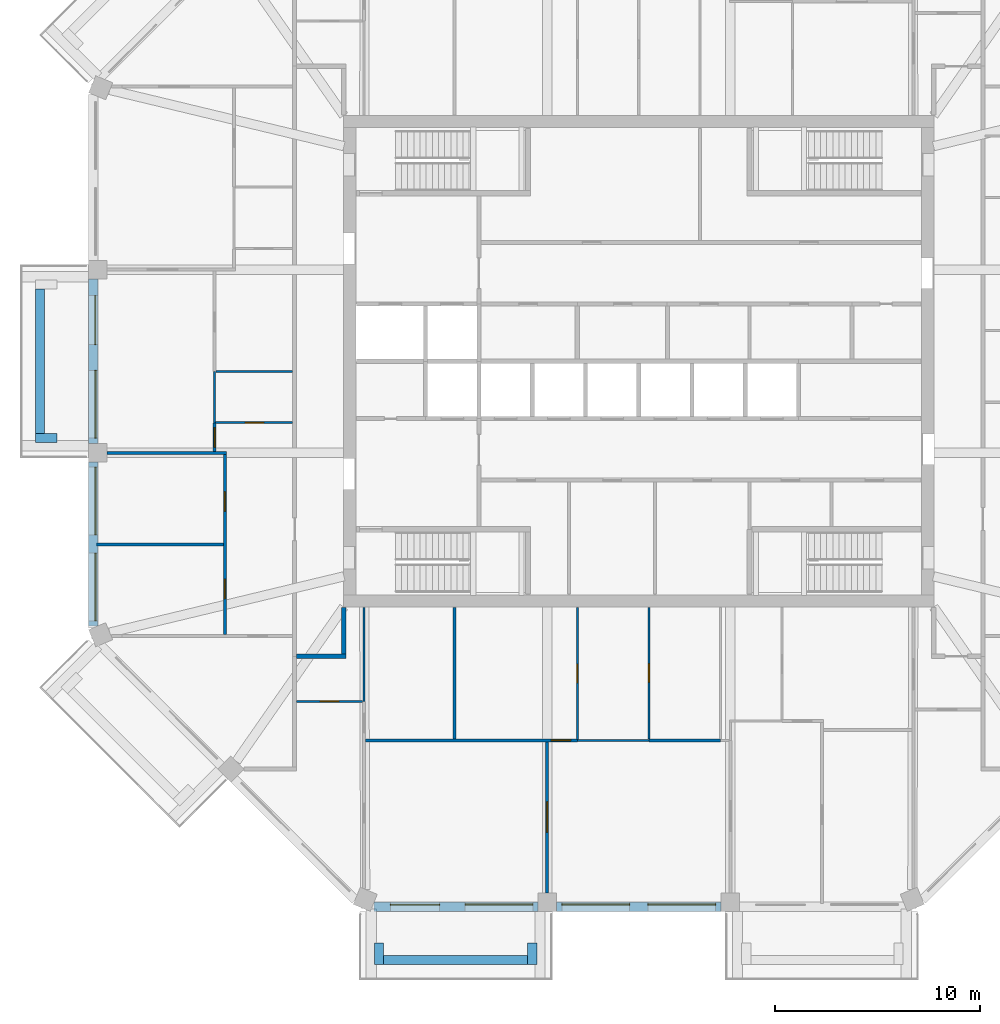
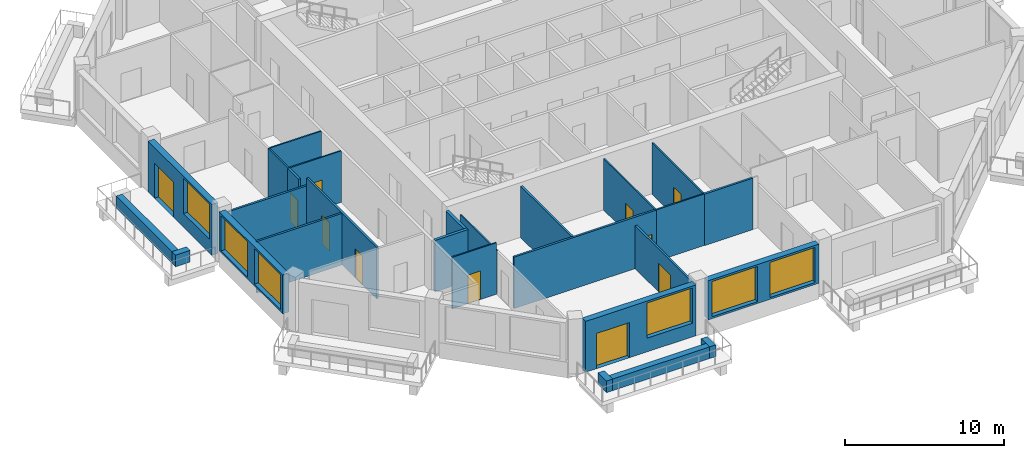
# One storey, part 3 of 12: 27 walls, 11 doors, 6 windows, 17 openings.
"""IFC4 building model written with IfcOpenShell, lengths in metres."""

from ifc_helpers import new_model, si_unit, direction, frame, frame_2d, origin, place, context, subcontext, project, spatial, rectangle, extrude, material, layer, layer_set, type_object, element, fill, save


model = new_model("IFC4")

# Units and contexts
model_context = context("Model", 3, precision=1e-05, world=origin(), true_north=direction((0.0, 1.0)))
body_context = subcontext(model_context, "Body", "Model", "MODEL_VIEW")
ifc_project = project(units=[si_unit("LENGTHUNIT", "METRE"), si_unit("AREAUNIT", "SQUARE_METRE"), si_unit("VOLUMEUNIT", "CUBIC_METRE"), si_unit("PLANEANGLEUNIT", "RADIAN"), si_unit("MASSUNIT", "GRAM", prefix="KILO")], contexts=[model_context])

# Site, building, storey
site_placement = place(None, origin())
site = spatial("IfcSite", under=ifc_project, at=site_placement, CompositionType="ELEMENT")
building_placement = place(site_placement, origin())
building = spatial("IfcBuilding", under=site, at=building_placement, Name="Msitu Wima Residences", CompositionType="ELEMENT")
storey_placement = place(building_placement, frame((0.0, 0.0, 218.10009765625)))
storey = spatial("IfcBuildingStorey", under=building, at=storey_placement, Name="L50", CompositionType="ELEMENT", Elevation=218.10009765625)

# Walls
ifc_material_1 = material(Name="Facing brick")
ifc_layer_1 = layer(ifc_material_1, 0.06494140625, Name="Facing brick")
ifc_material_2 = material(Name="Concrete C40/50", Category="concrete")
ifc_layer_2 = layer(ifc_material_2, 0.156005859375, Name="Concrete C40/50")
ifc_material_3 = material(Name="Waterproofing membrane")
ifc_layer_3 = layer(ifc_material_3, 0.00390625, Name="Waterproofing membrane")
ifc_material_4 = material(Name="Planting soil and planting")
ifc_layer_4 = layer(ifc_material_4, 0.22509765625, Name="Planting soil and planting")
ifc_layer_set_1 = layer_set([ifc_layer_1, ifc_layer_2, ifc_layer_3, ifc_layer_4], Name="Concrete C40/50")
wall_type_1 = type_object("IfcWallType", Name="Balcony planter PLANTER PL450", PredefinedType="USERDEFINED", material=ifc_layer_set_1)
wall_1_placement = place(storey_placement, frame((-29.22509765625, 3.5185546875, 0.0), z_axis=(0.0, 0.0, 1.0), x_axis=(0.0, -1.0, 0.0)))
element("IfcWall", 1, at=wall_1_placement, inside=storey, type_object=wall_type_1, Name="Balcony planter W1 L50", ObjectType="PLANTER", PredefinedType="USERDEFINED", context=body_context, shape_type="SweptSolid", body=[
    extrude(rectangle(XDim=7.037109375, YDim=0.449951171875, at=frame_2d((3.5185546875, 0.0))), origin(), (0.0, 0.0, 1.0), 0.89990234375),
])
wall_2_placement = place(storey_placement, frame((-28.39990234375, -3.74365234375, 0.0), z_axis=(0.0, 0.0, 1.0), x_axis=(-1.0, 0.0, 0.0)))
element("IfcWall", 2, at=wall_2_placement, inside=storey, type_object=wall_type_1, Name="Balcony planter W1 L50", ObjectType="PLANTER", PredefinedType="USERDEFINED", context=body_context, shape_type="SweptSolid", body=[
    extrude(rectangle(XDim=1.050048828125, YDim=0.449951171875, at=frame_2d((0.52490234375, 0.0))), origin(), (0.0, 0.0, 1.0), 0.89990234375),
])
wall_3_placement = place(storey_placement, frame((-12.455810546875, -29.22509765625, 0.0), z_axis=(0.0, 0.0, 1.0), x_axis=(1.0, 0.0, 0.0)))
element("IfcWall", 3, at=wall_3_placement, inside=storey, type_object=wall_type_1, Name="Balcony planter S0 L50", ObjectType="PLANTER", PredefinedType="USERDEFINED", context=body_context, shape_type="SweptSolid", body=[
    extrude(rectangle(XDim=7.037109375, YDim=0.449951171875, at=frame_2d((3.5185546875, 0.0))), origin(), (0.0, 0.0, 1.0), 0.89990234375),
])
for number, where, z_axis, x_axis, name in (
    (4, (-12.680908203125, -28.39990234375, 0.0), (0.0, 0.0, 1.0), (0.0, -1.0, 0.0), "Balcony planter S0 L50"),
    (5, (-5.193603515625, -28.39990234375, 0.0), (0.0, 0.0, 1.0), (0.0, -1.0, 0.0), "Balcony planter S0 L50"),
):
    element("IfcWall", number, at=place(storey_placement, frame(where, z_axis=z_axis, x_axis=x_axis)), inside=storey, type_object=wall_type_1, Name=name, ObjectType="PLANTER", PredefinedType="USERDEFINED", context=body_context, shape_type="SweptSolid", body=[
        extrude(rectangle(XDim=1.050048828125, YDim=0.449951171875, at=frame_2d((0.52490234375, 0.0))), origin(), (0.0, 0.0, 1.0), 0.89990234375),
    ])

# Wall, openings, door, window
ifc_material_5 = material(Name="Brick (red buff mix)", Category="masonry")
ifc_layer_5 = layer(ifc_material_5, 0.449951171875)
ifc_layer_set_2 = layer_set([ifc_layer_5], Name="Brick (red buff mix)")
wall_type_2 = type_object("IfcWallType", Name="Brick infill wall BW450", PredefinedType="SOLIDWALL", material=ifc_layer_set_2)
wall_4_placement = place(storey_placement, frame((-26.625, 4.0185546875, 0.0), z_axis=(0.0, 0.0, 1.0), x_axis=(0.0, -1.0, 0.0)))
wall_4 = element("IfcWall", 6, at=wall_4_placement, inside=storey, type_object=wall_type_2, Name="Brick infill wall L50 W1", PredefinedType="SOLIDWALL", context=body_context, shape_type="SweptSolid", body=[
    extrude(rectangle(XDim=8.037109375, YDim=0.449951171875, at=frame_2d((4.0185546875, 0.0))), origin(), (0.0, 0.0, 1.0), 3.89990234375),
])
opening_1_placement = place(wall_4_placement, frame((0.809326171875, 0.0, 0.0)))
opening_1 = element("IfcOpeningElement", 7, at=opening_1_placement, cuts=wall_4, Name="Opening D50-51.010", PredefinedType="OPENING", context=body_context, shape_type="SweptSolid", body=[
    extrude(rectangle(XDim=2.39990234375, YDim=2.699951171875, at=frame_2d((1.199951171875, 1.35009765625))), frame((0.0, 0.23486328125, 0.0), z_axis=(0.0, -1.0, 0.0), x_axis=(1.0, 0.0, 0.0)), (0.0, 0.0, 1.0), 0.469970703125),
])
opening_2_placement = place(wall_4_placement, frame((4.46875, 0.0, 1.050048828125)))
opening_2 = element("IfcOpeningElement", 8, at=opening_2_placement, cuts=wall_4, Name="Opening W50-51.028", PredefinedType="OPENING", context=body_context, shape_type="SweptSolid", body=[
    extrude(rectangle(XDim=3.300048828125, YDim=2.699951171875, at=frame_2d((1.64990234375, 1.35009765625))), frame((0.0, 0.23486328125, 0.0), z_axis=(0.0, -1.0, 0.0), x_axis=(1.0, 0.0, 0.0)), (0.0, 0.0, 1.0), 0.469970703125),
])
ifc_material_6 = material(Name="Anodised aluminium, bronze finish, clear low-emissivity double glazing", Category="aluminium")
door_type_1 = type_object("IfcDoorType", Name="Balcony door D2400x2700", OperationType="SLIDING_TO_LEFT", PredefinedType="DOOR", material=ifc_material_6)
door_1_placement = place(opening_1_placement, origin())
door_1 = element("IfcDoor", 9, at=door_1_placement, inside=storey, type_object=door_type_1, Name="Balcony door L50 W1", OperationType="SINGLE_SWING_LEFT", OverallHeight=2.699951171875, OverallWidth=2.39990234375, PredefinedType="DOOR", context=body_context, shape_type="SweptSolid", body=[
    extrude(rectangle(XDim=2.39990234375, YDim=2.699951171875, at=frame_2d((1.199951171875, 1.35009765625))), frame((0.0, 0.1298828125, 0.0), z_axis=(0.0, -1.0, 0.0), x_axis=(1.0, 0.0, 0.0)), (0.0, 0.0, 1.0), 0.050048828125),
])
fill(opening_1, door_1)
window_type = type_object("IfcWindowType", Name="Window W3300x2700", PartitioningType="DOUBLE_PANEL_VERTICAL", PredefinedType="WINDOW", material=ifc_material_6)
window_1_placement = place(opening_2_placement, origin())
window_1 = element("IfcWindow", 10, at=window_1_placement, inside=storey, type_object=window_type, Name="Window L50 W1.2", OverallHeight=2.699951171875, OverallWidth=3.300048828125, PartitioningType="SINGLE_PANEL", PredefinedType="WINDOW", context=body_context, shape_type="SweptSolid", body=[
    extrude(rectangle(XDim=3.300048828125, YDim=2.699951171875, at=frame_2d((1.64990234375, 1.35009765625))), frame((0.0, 0.135009765625, 0.0), z_axis=(0.0, -1.0, 0.0), x_axis=(1.0, 0.0, 0.0)), (0.0, 0.0, 1.0), 0.06005859375),
])
fill(opening_2, window_1)

# Wall, openings, windows
wall_5_placement = place(storey_placement, frame((-26.625, -4.918701171875, 0.89990234375), z_axis=(0.0, 0.0, 1.0), x_axis=(0.0, -1.0, 0.0)))
wall_5 = element("IfcWall", 11, at=wall_5_placement, inside=storey, type_object=wall_type_2, Name="Brick infill wall L50 W2", PredefinedType="SOLIDWALL", context=body_context, shape_type="SweptSolid", body=[
    extrude(rectangle(XDim=8.0, YDim=0.449951171875, at=frame_2d((4.0, 0.0))), origin(), (0.0, 0.0, 1.0), 3.0),
])
opening_3_placement = place(wall_5_placement, frame((0.25, 0.0, 0.14990234375)))
opening_3 = element("IfcOpeningElement", 12, at=opening_3_placement, cuts=wall_5, Name="Opening W50-51.029", PredefinedType="OPENING", context=body_context, shape_type="SweptSolid", body=[
    extrude(rectangle(XDim=3.300048828125, YDim=2.699951171875, at=frame_2d((1.64990234375, 1.35009765625))), frame((0.0, 0.23486328125, 0.0), z_axis=(0.0, -1.0, 0.0), x_axis=(1.0, 0.0, 0.0)), (0.0, 0.0, 1.0), 0.469970703125),
])
opening_4_placement = place(wall_5_placement, frame((4.4501953125, 0.0, 0.14990234375)))
opening_4 = element("IfcOpeningElement", 13, at=opening_4_placement, cuts=wall_5, Name="Opening W50-51.030", PredefinedType="OPENING", context=body_context, shape_type="SweptSolid", body=[
    extrude(rectangle(XDim=3.300048828125, YDim=2.699951171875, at=frame_2d((1.64990234375, 1.35009765625))), frame((0.0, 0.23486328125, 0.0), z_axis=(0.0, -1.0, 0.0), x_axis=(1.0, 0.0, 0.0)), (0.0, 0.0, 1.0), 0.469970703125),
])
window_2_placement = place(opening_3_placement, origin())
window_2 = element("IfcWindow", 14, at=window_2_placement, inside=storey, type_object=window_type, Name="Window L50 W2.1", OverallHeight=2.699951171875, OverallWidth=3.300048828125, PartitioningType="SINGLE_PANEL", PredefinedType="WINDOW", context=body_context, shape_type="SweptSolid", body=[
    extrude(rectangle(XDim=3.300048828125, YDim=2.699951171875, at=frame_2d((1.64990234375, 1.35009765625))), frame((0.0, 0.135009765625, 0.0), z_axis=(0.0, -1.0, 0.0), x_axis=(1.0, 0.0, 0.0)), (0.0, 0.0, 1.0), 0.06005859375),
])
fill(opening_3, window_2)
window_3_placement = place(opening_4_placement, origin())
window_3 = element("IfcWindow", 15, at=window_3_placement, inside=storey, type_object=window_type, Name="Window L50 W2.2", OverallHeight=2.699951171875, OverallWidth=3.300048828125, PartitioningType="SINGLE_PANEL", PredefinedType="WINDOW", context=body_context, shape_type="SweptSolid", body=[
    extrude(rectangle(XDim=3.300048828125, YDim=2.699951171875, at=frame_2d((1.64990234375, 1.35009765625))), frame((0.0, 0.135009765625, 0.0), z_axis=(0.0, -1.0, 0.0), x_axis=(1.0, 0.0, 0.0)), (0.0, 0.0, 1.0), 0.06005859375),
])
fill(opening_4, window_3)

# Wall, openings, door, window
wall_6_placement = place(storey_placement, frame((-12.918701171875, -26.625, 0.0), z_axis=(0.0, 0.0, 1.0), x_axis=(1.0, 0.0, 0.0)))
wall_6 = element("IfcWall", 16, at=wall_6_placement, inside=storey, type_object=wall_type_2, Name="Brick infill wall L50 S0", PredefinedType="SOLIDWALL", context=body_context, shape_type="SweptSolid", body=[
    extrude(rectangle(XDim=8.0, YDim=0.449951171875, at=frame_2d((4.0, 0.0))), origin(), (0.0, 0.0, 1.0), 3.89990234375),
])
opening_5_placement = place(wall_6_placement, frame((0.800048828125, 0.0, 0.0)))
opening_5 = element("IfcOpeningElement", 17, at=opening_5_placement, cuts=wall_6, Name="Opening D50-51.006", PredefinedType="OPENING", context=body_context, shape_type="SweptSolid", body=[
    extrude(rectangle(XDim=2.39990234375, YDim=2.699951171875, at=frame_2d((1.199951171875, 1.35009765625))), frame((0.0, 0.23486328125, 0.0), z_axis=(0.0, -1.0, 0.0), x_axis=(1.0, 0.0, 0.0)), (0.0, 0.0, 1.0), 0.469970703125),
])
opening_6_placement = place(wall_6_placement, frame((4.4501953125, 0.0, 1.050048828125)))
opening_6 = element("IfcOpeningElement", 18, at=opening_6_placement, cuts=wall_6, Name="Opening W50-51.016", PredefinedType="OPENING", context=body_context, shape_type="SweptSolid", body=[
    extrude(rectangle(XDim=3.300048828125, YDim=2.699951171875, at=frame_2d((1.64990234375, 1.35009765625))), frame((0.0, 0.23486328125, 0.0), z_axis=(0.0, -1.0, 0.0), x_axis=(1.0, 0.0, 0.0)), (0.0, 0.0, 1.0), 0.469970703125),
])
door_2_placement = place(opening_5_placement, origin())
door_2 = element("IfcDoor", 19, at=door_2_placement, inside=storey, type_object=door_type_1, Name="Balcony door L50 S0", OperationType="SINGLE_SWING_LEFT", OverallHeight=2.699951171875, OverallWidth=2.39990234375, PredefinedType="DOOR", context=body_context, shape_type="SweptSolid", body=[
    extrude(rectangle(XDim=2.39990234375, YDim=2.699951171875, at=frame_2d((1.199951171875, 1.35009765625))), frame((0.0, 0.1298828125, 0.0), z_axis=(0.0, -1.0, 0.0), x_axis=(1.0, 0.0, 0.0)), (0.0, 0.0, 1.0), 0.050048828125),
])
fill(opening_5, door_2)
window_4_placement = place(opening_6_placement, origin())
window_4 = element("IfcWindow", 20, at=window_4_placement, inside=storey, type_object=window_type, Name="Window L50 S0.2", OverallHeight=2.699951171875, OverallWidth=3.300048828125, PartitioningType="SINGLE_PANEL", PredefinedType="WINDOW", context=body_context, shape_type="SweptSolid", body=[
    extrude(rectangle(XDim=3.300048828125, YDim=2.699951171875, at=frame_2d((1.64990234375, 1.35009765625))), frame((0.0, 0.135009765625, 0.0), z_axis=(0.0, -1.0, 0.0), x_axis=(1.0, 0.0, 0.0)), (0.0, 0.0, 1.0), 0.06005859375),
])
fill(opening_6, window_4)

# Wall, openings, windows
wall_7_placement = place(storey_placement, frame((-4.0185546875, -26.625, 0.89990234375), z_axis=(0.0, 0.0, 1.0), x_axis=(1.0, 0.0, 0.0)))
wall_7 = element("IfcWall", 21, at=wall_7_placement, inside=storey, type_object=wall_type_2, Name="Brick infill wall L50 S1", PredefinedType="SOLIDWALL", context=body_context, shape_type="SweptSolid", body=[
    extrude(rectangle(XDim=8.037109375, YDim=0.449951171875, at=frame_2d((4.0185546875, 0.0))), origin(), (0.0, 0.0, 1.0), 3.0),
])
opening_7_placement = place(wall_7_placement, frame((0.2685546875, 0.0, 0.14990234375)))
opening_7 = element("IfcOpeningElement", 22, at=opening_7_placement, cuts=wall_7, Name="Opening W50-51.017", PredefinedType="OPENING", context=body_context, shape_type="SweptSolid", body=[
    extrude(rectangle(XDim=3.300048828125, YDim=2.699951171875, at=frame_2d((1.64990234375, 1.35009765625))), frame((0.0, 0.23486328125, 0.0), z_axis=(0.0, -1.0, 0.0), x_axis=(1.0, 0.0, 0.0)), (0.0, 0.0, 1.0), 0.469970703125),
])
opening_8_placement = place(wall_7_placement, frame((4.46875, 0.0, 0.14990234375)))
opening_8 = element("IfcOpeningElement", 23, at=opening_8_placement, cuts=wall_7, Name="Opening W50-51.018", PredefinedType="OPENING", context=body_context, shape_type="SweptSolid", body=[
    extrude(rectangle(XDim=3.300048828125, YDim=2.699951171875, at=frame_2d((1.64990234375, 1.35009765625))), frame((0.0, 0.23486328125, 0.0), z_axis=(0.0, -1.0, 0.0), x_axis=(1.0, 0.0, 0.0)), (0.0, 0.0, 1.0), 0.469970703125),
])
window_5_placement = place(opening_7_placement, origin())
window_5 = element("IfcWindow", 24, at=window_5_placement, inside=storey, type_object=window_type, Name="Window L50 S1.1", OverallHeight=2.699951171875, OverallWidth=3.300048828125, PartitioningType="SINGLE_PANEL", PredefinedType="WINDOW", context=body_context, shape_type="SweptSolid", body=[
    extrude(rectangle(XDim=3.300048828125, YDim=2.699951171875, at=frame_2d((1.64990234375, 1.35009765625))), frame((0.0, 0.135009765625, 0.0), z_axis=(0.0, -1.0, 0.0), x_axis=(1.0, 0.0, 0.0)), (0.0, 0.0, 1.0), 0.06005859375),
])
fill(opening_7, window_5)
window_6_placement = place(opening_8_placement, origin())
window_6 = element("IfcWindow", 25, at=window_6_placement, inside=storey, type_object=window_type, Name="Window L50 S1.2", OverallHeight=2.699951171875, OverallWidth=3.300048828125, PartitioningType="SINGLE_PANEL", PredefinedType="WINDOW", context=body_context, shape_type="SweptSolid", body=[
    extrude(rectangle(XDim=3.300048828125, YDim=2.699951171875, at=frame_2d((1.64990234375, 1.35009765625))), frame((0.0, 0.135009765625, 0.0), z_axis=(0.0, -1.0, 0.0), x_axis=(1.0, 0.0, 0.0)), (0.0, 0.0, 1.0), 0.06005859375),
])
fill(opening_8, window_6)

# Walls
ifc_material_7 = material(Name="Plaster")
ifc_layer_6 = layer(ifc_material_7, 0.011962890625, Name="Plaster")
ifc_material_8 = material(Name="Concrete blockwork", Category="masonry")
ifc_layer_7 = layer(ifc_material_8, 0.176025390625, Name="Concrete blockwork")
ifc_layer_8 = layer(ifc_material_7, 0.011962890625, Name="Plaster")
ifc_layer_set_3 = layer_set([ifc_layer_6, ifc_layer_7, ifc_layer_8], Name="Concrete blockwork")
wall_type_3 = type_object("IfcWallType", Name="Corridor wall FW200", PredefinedType="PARTITIONING", material=ifc_layer_set_3)
wall_8_placement = place(storey_placement, frame((-16.699951171875, -14.39990234375, 0.0), z_axis=(0.0, 0.0, 1.0), x_axis=(1.0, 0.0, 0.0)))
element("IfcWall", 26, at=wall_8_placement, inside=storey, type_object=wall_type_3, Name="Corridor wall", PredefinedType="PARTITIONING", context=body_context, shape_type="SweptSolid", body=[
    extrude(rectangle(XDim=2.39990234375, YDim=0.199951171875, at=frame_2d((1.199951171875, 0.0))), origin(), (0.0, 0.0, 1.0), 3.949951171875),
])
wall_9_placement = place(storey_placement, frame((-14.39990234375, -14.300048828125, 0.0), z_axis=(0.0, 0.0, 1.0), x_axis=(0.0, 1.0, 0.0)))
element("IfcWall", 27, at=wall_9_placement, inside=storey, type_object=wall_type_3, Name="Corridor wall", PredefinedType="PARTITIONING", context=body_context, shape_type="SweptSolid", body=[
    extrude(rectangle(XDim=2.27001953125, YDim=0.199951171875, at=frame_2d((1.135009765625, 0.0))), origin(), (0.0, 0.0, 1.0), 3.949951171875),
])
ifc_layer_9 = layer(ifc_material_7, 0.011962890625, Name="Plaster")
ifc_layer_10 = layer(ifc_material_8, 0.1259765625, Name="Concrete blockwork")
ifc_layer_11 = layer(ifc_material_7, 0.011962890625, Name="Plaster")
ifc_layer_set_4 = layer_set([ifc_layer_9, ifc_layer_10, ifc_layer_11], Name="Concrete blockwork")
wall_type_4 = type_object("IfcWallType", Name="Partition PW150", PredefinedType="PARTITIONING", material=ifc_layer_set_4)
wall_10_placement = place(storey_placement, frame((-26.455078125, -8.937255859375, 0.0), z_axis=(0.0, 0.0, 1.0), x_axis=(1.0, 0.0, 0.0)))
element("IfcWall", 28, at=wall_10_placement, inside=storey, type_object=wall_type_4, Name="Partition", PredefinedType="PARTITIONING", context=body_context, shape_type="SweptSolid", body=[
    extrude(rectangle(XDim=6.18017578125, YDim=0.14990234375, at=frame_2d((3.090087890625, 0.0))), origin(), (0.0, 0.0, 1.0), 3.949951171875),
])
wall_11_placement = place(storey_placement, frame((-25.949951171875, -4.46875, 0.0), z_axis=(0.0, 0.0, 1.0), x_axis=(1.0, 0.0, 0.0)))
element("IfcWall", 29, at=wall_11_placement, inside=storey, type_object=wall_type_4, Name="Partition", PredefinedType="PARTITIONING", context=body_context, shape_type="SweptSolid", body=[
    extrude(rectangle(XDim=5.824951171875, YDim=0.14990234375, at=frame_2d((2.91259765625, 0.0))), origin(), (0.0, 0.0, 1.0), 3.349853515625),
])

# Wall, opening, door
wall_12_placement = place(storey_placement, frame((-20.699951171875, -4.3935546875, 0.0), z_axis=(0.0, 0.0, 1.0), x_axis=(0.0, 1.0, 0.0)))
wall_12 = element("IfcWall", 30, at=wall_12_placement, inside=storey, type_object=wall_type_4, Name="Partition", PredefinedType="PARTITIONING", context=body_context, shape_type="SweptSolid", body=[
    extrude(rectangle(XDim=1.37353515625, YDim=0.14990234375, at=frame_2d((0.686767578125, 0.0))), origin(), (0.0, 0.0, 1.0), 3.949951171875),
])
opening_9_placement = place(wall_12_placement, frame((0.199951171875, 0.0, 0.0)))
opening_9 = element("IfcOpeningElement", 31, at=opening_9_placement, cuts=wall_12, Name="Opening D50-51.041", PredefinedType="OPENING", context=body_context, shape_type="SweptSolid", body=[
    extrude(rectangle(XDim=0.949951171875, YDim=2.199951171875, at=frame_2d((0.47509765625, 1.10009765625))), frame((0.0, 0.0849609375, 0.0), z_axis=(0.0, -1.0, 0.0), x_axis=(1.0, 0.0, 0.0)), (0.0, 0.0, 1.0), 0.169921875),
])
ifc_material_9 = material(Name="Timber flush door", Category="wood")
door_type_2 = type_object("IfcDoorType", Name="Room door D12 950x2200", OperationType="SINGLE_SWING_LEFT", PredefinedType="DOOR", material=ifc_material_9)
door_3_placement = place(opening_9_placement, origin())
door_3 = element("IfcDoor", 32, at=door_3_placement, inside=storey, type_object=door_type_2, Name="Room door", OperationType="SINGLE_SWING_LEFT", OverallHeight=2.199951171875, OverallWidth=0.949951171875, PredefinedType="DOOR", context=body_context, shape_type="SweptSolid", body=[
    extrude(rectangle(XDim=0.949951171875, YDim=2.199951171875, at=frame_2d((0.47509765625, 1.10009765625))), frame((0.0, 0.02490234375, 0.0), z_axis=(0.0, -1.0, 0.0), x_axis=(1.0, 0.0, 0.0)), (0.0, 0.0, 1.0), 0.050048828125),
])
fill(opening_9, door_3)

# Wall, openings, doors
wall_13_placement = place(storey_placement, frame((-20.199951171875, -13.330810546875, 0.0), z_axis=(0.0, 0.0, 1.0), x_axis=(0.0, 1.0, 0.0)))
wall_13 = element("IfcWall", 33, at=wall_13_placement, inside=storey, type_object=wall_type_4, Name="Partition", PredefinedType="PARTITIONING", context=body_context, shape_type="SweptSolid", body=[
    extrude(rectangle(XDim=8.787109375, YDim=0.14990234375, at=frame_2d((4.3935546875, 0.0))), origin(), (0.0, 0.0, 1.0), 3.949951171875),
])
opening_10_placement = place(wall_13_placement, frame((1.75, 0.0, 0.0)))
opening_10 = element("IfcOpeningElement", 34, at=opening_10_placement, cuts=wall_13, Name="Opening D50-51.039", PredefinedType="OPENING", context=body_context, shape_type="SweptSolid", body=[
    extrude(rectangle(XDim=0.949951171875, YDim=2.199951171875, at=frame_2d((0.47509765625, 1.10009765625))), frame((0.0, 0.0849609375, 0.0), z_axis=(0.0, -1.0, 0.0), x_axis=(1.0, 0.0, 0.0)), (0.0, 0.0, 1.0), 0.169921875),
])
opening_11_placement = place(wall_13_placement, frame((6.0, 0.0, 0.0)))
opening_11 = element("IfcOpeningElement", 35, at=opening_11_placement, cuts=wall_13, Name="Opening D50-51.040", PredefinedType="OPENING", context=body_context, shape_type="SweptSolid", body=[
    extrude(rectangle(XDim=0.949951171875, YDim=2.199951171875, at=frame_2d((0.47509765625, 1.10009765625))), frame((0.0, 0.0849609375, 0.0), z_axis=(0.0, -1.0, 0.0), x_axis=(1.0, 0.0, 0.0)), (0.0, 0.0, 1.0), 0.169921875),
])
door_4_placement = place(opening_10_placement, origin())
door_4 = element("IfcDoor", 36, at=door_4_placement, inside=storey, type_object=door_type_2, Name="Room door", OperationType="SINGLE_SWING_RIGHT", OverallHeight=2.199951171875, OverallWidth=0.949951171875, PredefinedType="DOOR", context=body_context, shape_type="SweptSolid", body=[
    extrude(rectangle(XDim=0.949951171875, YDim=2.199951171875, at=frame_2d((0.47509765625, 1.10009765625))), frame((0.0, 0.02490234375, 0.0), z_axis=(0.0, -1.0, 0.0), x_axis=(1.0, 0.0, 0.0)), (0.0, 0.0, 1.0), 0.050048828125),
])
fill(opening_10, door_4)
door_5_placement = place(opening_11_placement, origin())
door_5 = element("IfcDoor", 37, at=door_5_placement, inside=storey, type_object=door_type_2, Name="Room door", OperationType="SINGLE_SWING_LEFT", OverallHeight=2.199951171875, OverallWidth=0.949951171875, PredefinedType="DOOR", context=body_context, shape_type="SweptSolid", body=[
    extrude(rectangle(XDim=0.949951171875, YDim=2.199951171875, at=frame_2d((0.47509765625, 1.10009765625))), frame((0.0, 0.02490234375, 0.0), z_axis=(0.0, -1.0, 0.0), x_axis=(1.0, 0.0, 0.0)), (0.0, 0.0, 1.0), 0.050048828125),
])
fill(opening_11, door_5)

# Wall, opening, door
wall_14_placement = place(storey_placement, frame((-13.330810546875, -18.5, 0.0), z_axis=(0.0, 0.0, 1.0), x_axis=(1.0, 0.0, 0.0)))
wall_14 = element("IfcWall", 38, at=wall_14_placement, inside=storey, type_object=wall_type_4, Name="Partition", PredefinedType="PARTITIONING", context=body_context, shape_type="SweptSolid", body=[
    extrude(rectangle(XDim=10.330810546875, YDim=0.14990234375, at=frame_2d((5.16552734375, 0.0))), origin(), (0.0, 0.0, 1.0), 3.949951171875),
])
opening_12_placement = place(wall_14_placement, frame((9.050048828125, 0.0, 0.0)))
opening_12 = element("IfcOpeningElement", 39, at=opening_12_placement, cuts=wall_14, Name="Opening D50-51.057", PredefinedType="OPENING", context=body_context, shape_type="SweptSolid", body=[
    extrude(rectangle(XDim=0.949951171875, YDim=2.199951171875, at=frame_2d((0.47509765625, 1.10009765625))), frame((0.0, 0.0849609375, 0.0), z_axis=(0.0, -1.0, 0.0), x_axis=(1.0, 0.0, 0.0)), (0.0, 0.0, 1.0), 0.169921875),
])
door_6_placement = place(opening_12_placement, origin())
door_6 = element("IfcDoor", 40, at=door_6_placement, inside=storey, type_object=door_type_2, Name="Room door", OperationType="SINGLE_SWING_RIGHT", OverallHeight=2.199951171875, OverallWidth=0.949951171875, PredefinedType="DOOR", context=body_context, shape_type="SweptSolid", body=[
    extrude(rectangle(XDim=0.949951171875, YDim=2.199951171875, at=frame_2d((0.47509765625, 1.10009765625))), frame((0.0, 0.02490234375, 0.0), z_axis=(0.0, -1.0, 0.0), x_axis=(1.0, 0.0, 0.0)), (0.0, 0.0, 1.0), 0.050048828125),
])
fill(opening_12, door_6)

# Wall
wall_15_placement = place(storey_placement, frame((-9.0, -18.425048828125, 0.0), z_axis=(0.0, 0.0, 1.0), x_axis=(0.0, 1.0, 0.0)))
element("IfcWall", 41, at=wall_15_placement, inside=storey, type_object=wall_type_4, Name="Partition", PredefinedType="PARTITIONING", context=body_context, shape_type="SweptSolid", body=[
    extrude(rectangle(XDim=6.39501953125, YDim=0.14990234375, at=frame_2d((3.197509765625, 0.0))), origin(), (0.0, 0.0, 1.0), 3.949951171875),
])

# Wall, opening, door
wall_16_placement = place(storey_placement, frame((-4.46875, -25.949951171875, 0.0), z_axis=(0.0, 0.0, 1.0), x_axis=(0.0, 1.0, 0.0)))
wall_16 = element("IfcWall", 42, at=wall_16_placement, inside=storey, type_object=wall_type_4, Name="Partition", PredefinedType="PARTITIONING", context=body_context, shape_type="SweptSolid", body=[
    extrude(rectangle(XDim=7.375, YDim=0.14990234375, at=frame_2d((3.6875, 0.0))), origin(), (0.0, 0.0, 1.0), 3.2998046875),
])
opening_13_placement = place(wall_16_placement, frame((2.949951171875, 0.0, 0.0)))
opening_13 = element("IfcOpeningElement", 43, at=opening_13_placement, cuts=wall_16, Name="Opening D50-51.048", PredefinedType="OPENING", context=body_context, shape_type="SweptSolid", body=[
    extrude(rectangle(XDim=1.5, YDim=2.199951171875, at=frame_2d((0.75, 1.10009765625))), frame((0.0, 0.0849609375, 0.0), z_axis=(0.0, -1.0, 0.0), x_axis=(1.0, 0.0, 0.0)), (0.0, 0.0, 1.0), 0.169921875),
])
ifc_material_10 = material(Name="Timber double door", Category="wood")
door_type_3 = type_object("IfcDoorType", Name="Double door D04 1500x2200", OperationType="DOUBLE_DOOR_SINGLE_SWING", PredefinedType="DOOR", material=ifc_material_10)
door_7_placement = place(opening_13_placement, origin())
door_7 = element("IfcDoor", 44, at=door_7_placement, inside=storey, type_object=door_type_3, Name="Double door", OperationType="DOUBLE_DOOR_SINGLE_SWING", OverallHeight=2.199951171875, OverallWidth=1.5, PredefinedType="DOOR", context=body_context, shape_type="SweptSolid", body=[
    extrude(rectangle(XDim=1.5, YDim=2.199951171875, at=frame_2d((0.75, 1.10009765625))), frame((0.0, 0.02490234375, 0.0), z_axis=(0.0, -1.0, 0.0), x_axis=(1.0, 0.0, 0.0)), (0.0, 0.0, 1.0), 0.050048828125),
])
fill(opening_13, door_7)

# Walls
wall_17_placement = place(storey_placement, frame((0.5, -18.5, 0.0), z_axis=(0.0, 0.0, 1.0), x_axis=(1.0, 0.0, 0.0)))
element("IfcWall", 45, at=wall_17_placement, inside=storey, type_object=wall_type_4, Name="Partition", PredefinedType="PARTITIONING", context=body_context, shape_type="SweptSolid", body=[
    extrude(rectangle(XDim=3.5, YDim=0.14990234375, at=frame_2d((1.75, 0.0))), origin(), (0.0, 0.0, 1.0), 3.949951171875),
])
ifc_material_11 = material(Name="Ceramic tiles")
ifc_layer_12 = layer(ifc_material_11, 0.008056640625, Name="Ceramic tiles")
ifc_material_12 = material(Name="Moisture-resistant board")
ifc_layer_13 = layer(ifc_material_12, 0.012451171875, Name="Moisture-resistant board")
ifc_material_13 = material(Name="Light-gauge stud framing with mineral wool")
ifc_layer_14 = layer(ifc_material_13, 0.06689453125, Name="Light-gauge stud framing with mineral wool")
ifc_layer_15 = layer(ifc_material_12, 0.012451171875, Name="Moisture-resistant board")
ifc_layer_set_5 = layer_set([ifc_layer_12, ifc_layer_13, ifc_layer_14, ifc_layer_15], Name="Light-gauge stud framing with mineral wool")
wall_type_5 = type_object("IfcWallType", Name="Wet wall PW100", PredefinedType="PARTITIONING", material=ifc_layer_set_5)
wall_18_placement = place(storey_placement, frame((-20.699951171875, -3.02001953125, 0.0), z_axis=(0.0, 0.0, 1.0), x_axis=(0.0, 1.0, 0.0)))
element("IfcWall", 46, at=wall_18_placement, inside=storey, type_object=wall_type_5, Name="Wet wall", PredefinedType="PARTITIONING", context=body_context, shape_type="SweptSolid", body=[
    extrude(rectangle(XDim=2.52001953125, YDim=0.10009765625, at=frame_2d((1.260009765625, 0.0))), origin(), (0.0, 0.0, 1.0), 3.949951171875),
])

# Wall, opening, door
wall_19_placement = place(storey_placement, frame((-20.64990234375, -3.0, 0.0), z_axis=(0.0, 0.0, 1.0), x_axis=(1.0, 0.0, 0.0)))
wall_19 = element("IfcWall", 47, at=wall_19_placement, inside=storey, type_object=wall_type_5, Name="Wet wall", PredefinedType="PARTITIONING", context=body_context, shape_type="SweptSolid", body=[
    extrude(rectangle(XDim=3.75, YDim=0.10009765625, at=frame_2d((1.875, 0.0))), origin(), (0.0, 0.0, 1.0), 3.949951171875),
])
opening_14_placement = place(wall_19_placement, frame((1.449951171875, 0.0, 0.0)))
opening_14 = element("IfcOpeningElement", 48, at=opening_14_placement, cuts=wall_19, Name="Opening D50-51.038", PredefinedType="OPENING", context=body_context, shape_type="SweptSolid", body=[
    extrude(rectangle(XDim=0.89990234375, YDim=2.199951171875, at=frame_2d((0.449951171875, 1.10009765625))), frame((0.0, 0.06005859375, 0.0), z_axis=(0.0, -1.0, 0.0), x_axis=(1.0, 0.0, 0.0)), (0.0, 0.0, 1.0), 0.1201171875),
])
ifc_material_14 = material(Name="Timber flush door, moisture resistant", Category="wood")
door_type_4 = type_object("IfcDoorType", Name="Bathroom door D03 900x2200", OperationType="SINGLE_SWING_LEFT", PredefinedType="DOOR", material=ifc_material_14)
door_8_placement = place(opening_14_placement, origin())
door_8 = element("IfcDoor", 49, at=door_8_placement, inside=storey, type_object=door_type_4, Name="Bathroom door", OperationType="SINGLE_SWING_RIGHT", OverallHeight=2.199951171875, OverallWidth=0.89990234375, PredefinedType="DOOR", context=body_context, shape_type="SweptSolid", body=[
    extrude(rectangle(XDim=0.89990234375, YDim=2.199951171875, at=frame_2d((0.449951171875, 1.10009765625))), frame((0.0, 0.02490234375, 0.0), z_axis=(0.0, -1.0, 0.0), x_axis=(1.0, 0.0, 0.0)), (0.0, 0.0, 1.0), 0.050048828125),
])
fill(opening_14, door_8)

# Wall
wall_20_placement = place(storey_placement, frame((-20.625, -0.5, 0.0), z_axis=(0.0, 0.0, 1.0), x_axis=(1.0, 0.0, 0.0)))
element("IfcWall", 50, at=wall_20_placement, inside=storey, type_object=wall_type_5, Name="Wet wall", PredefinedType="PARTITIONING", context=body_context, shape_type="SweptSolid", body=[
    extrude(rectangle(XDim=3.72509765625, YDim=0.10009765625, at=frame_2d((1.862548828125, 0.0))), origin(), (0.0, 0.0, 1.0), 3.949951171875),
])

# Wall, opening, door
wall_21_placement = place(storey_placement, frame((-16.699951171875, -16.60009765625, 0.0), z_axis=(0.0, 0.0, 1.0), x_axis=(1.0, 0.0, 0.0)))
wall_21 = element("IfcWall", 51, at=wall_21_placement, inside=storey, type_object=wall_type_5, Name="Wet wall", PredefinedType="PARTITIONING", context=body_context, shape_type="SweptSolid", body=[
    extrude(rectangle(XDim=3.218994140625, YDim=0.10009765625, at=frame_2d((1.609375, 0.0))), origin(), (0.0, 0.0, 1.0), 3.949951171875),
])
opening_15_placement = place(wall_21_placement, frame((1.14990234375, 0.0, 0.0)))
opening_15 = element("IfcOpeningElement", 52, at=opening_15_placement, cuts=wall_21, Name="Opening D50-51.051", PredefinedType="OPENING", context=body_context, shape_type="SweptSolid", body=[
    extrude(rectangle(XDim=0.89990234375, YDim=2.199951171875, at=frame_2d((0.449951171875, 1.10009765625))), frame((0.0, 0.06005859375, 0.0), z_axis=(0.0, -1.0, 0.0), x_axis=(1.0, 0.0, 0.0)), (0.0, 0.0, 1.0), 0.1201171875),
])
door_9_placement = place(opening_15_placement, origin())
door_9 = element("IfcDoor", 53, at=door_9_placement, inside=storey, type_object=door_type_4, Name="Bathroom door", OperationType="SINGLE_SWING_LEFT", OverallHeight=2.199951171875, OverallWidth=0.89990234375, PredefinedType="DOOR", context=body_context, shape_type="SweptSolid", body=[
    extrude(rectangle(XDim=0.89990234375, YDim=2.199951171875, at=frame_2d((0.449951171875, 1.10009765625))), frame((0.0, 0.02490234375, 0.0), z_axis=(0.0, -1.0, 0.0), x_axis=(1.0, 0.0, 0.0)), (0.0, 0.0, 1.0), 0.050048828125),
])
fill(opening_15, door_9)

# Walls
wall_22_placement = place(storey_placement, frame((-13.406005859375, -16.60009765625, 0.0), z_axis=(0.0, 0.0, 1.0), x_axis=(0.0, 1.0, 0.0)))
element("IfcWall", 54, at=wall_22_placement, inside=storey, type_object=wall_type_5, Name="Wet wall", PredefinedType="PARTITIONING", context=body_context, shape_type="SweptSolid", body=[
    extrude(rectangle(XDim=4.570068359375, YDim=0.10009765625, at=frame_2d((2.28515625, 0.0))), origin(), (0.0, 0.0, 1.0), 3.2998046875),
])
wall_23_placement = place(storey_placement, frame((-3.0, -18.5, 0.0), z_axis=(0.0, 0.0, 1.0), x_axis=(1.0, 0.0, 0.0)))
element("IfcWall", 55, at=wall_23_placement, inside=storey, type_object=wall_type_5, Name="Wet wall", PredefinedType="PARTITIONING", context=body_context, shape_type="SweptSolid", body=[
    extrude(rectangle(XDim=3.5, YDim=0.10009765625, at=frame_2d((1.75, 0.0))), origin(), (0.0, 0.0, 1.0), 3.949951171875),
])

# Wall, opening, door
wall_24_placement = place(storey_placement, frame((-3.0, -18.449951171875, 0.0), z_axis=(0.0, 0.0, 1.0), x_axis=(0.0, 1.0, 0.0)))
wall_24 = element("IfcWall", 56, at=wall_24_placement, inside=storey, type_object=wall_type_5, Name="Wet wall", PredefinedType="PARTITIONING", context=body_context, shape_type="SweptSolid", body=[
    extrude(rectangle(XDim=6.419921875, YDim=0.10009765625, at=frame_2d((3.2099609375, 0.0))), origin(), (0.0, 0.0, 1.0), 3.949951171875),
])
opening_16_placement = place(wall_24_placement, frame((2.75, 0.0, 0.0)))
opening_16 = element("IfcOpeningElement", 57, at=opening_16_placement, cuts=wall_24, Name="Opening D50-51.058", PredefinedType="OPENING", context=body_context, shape_type="SweptSolid", body=[
    extrude(rectangle(XDim=0.89990234375, YDim=2.199951171875, at=frame_2d((0.449951171875, 1.10009765625))), frame((0.0, 0.06005859375, 0.0), z_axis=(0.0, -1.0, 0.0), x_axis=(1.0, 0.0, 0.0)), (0.0, 0.0, 1.0), 0.1201171875),
])
door_type_5 = type_object("IfcDoorType", Name="Service door D05 900x2200", OperationType="SINGLE_SWING_LEFT", PredefinedType="DOOR", material=ifc_material_9)
door_10_placement = place(opening_16_placement, origin())
door_10 = element("IfcDoor", 58, at=door_10_placement, inside=storey, type_object=door_type_5, Name="Service door", OperationType="SINGLE_SWING_LEFT", OverallHeight=2.199951171875, OverallWidth=0.89990234375, PredefinedType="DOOR", context=body_context, shape_type="SweptSolid", body=[
    extrude(rectangle(XDim=0.89990234375, YDim=2.199951171875, at=frame_2d((0.449951171875, 1.10009765625))), frame((0.0, 0.02490234375, 0.0), z_axis=(0.0, -1.0, 0.0), x_axis=(1.0, 0.0, 0.0)), (0.0, 0.0, 1.0), 0.050048828125),
])
fill(opening_16, door_10)

wall_25_placement = place(storey_placement, frame((0.5, -18.425048828125, 0.0), z_axis=(0.0, 0.0, 1.0), x_axis=(0.0, 1.0, 0.0)))
wall_25 = element("IfcWall", 59, at=wall_25_placement, inside=storey, type_object=wall_type_5, Name="Wet wall", PredefinedType="PARTITIONING", context=body_context, shape_type="SweptSolid", body=[
    extrude(rectangle(XDim=6.39501953125, YDim=0.10009765625, at=frame_2d((3.197509765625, 0.0))), origin(), (0.0, 0.0, 1.0), 3.949951171875),
])
opening_17_placement = place(wall_25_placement, frame((2.75, 0.0, 0.0)))
opening_17 = element("IfcOpeningElement", 60, at=opening_17_placement, cuts=wall_25, Name="Opening D50-51.059", PredefinedType="OPENING", context=body_context, shape_type="SweptSolid", body=[
    extrude(rectangle(XDim=0.89990234375, YDim=2.199951171875, at=frame_2d((0.449951171875, 1.10009765625))), frame((0.0, 0.06005859375, 0.0), z_axis=(0.0, -1.0, 0.0), x_axis=(1.0, 0.0, 0.0)), (0.0, 0.0, 1.0), 0.1201171875),
])
door_11_placement = place(opening_17_placement, origin())
door_11 = element("IfcDoor", 61, at=door_11_placement, inside=storey, type_object=door_type_5, Name="Service door", OperationType="SINGLE_SWING_RIGHT", OverallHeight=2.199951171875, OverallWidth=0.89990234375, PredefinedType="DOOR", context=body_context, shape_type="SweptSolid", body=[
    extrude(rectangle(XDim=0.89990234375, YDim=2.199951171875, at=frame_2d((0.449951171875, 1.10009765625))), frame((0.0, 0.02490234375, 0.0), z_axis=(0.0, -1.0, 0.0), x_axis=(1.0, 0.0, 0.0)), (0.0, 0.0, 1.0), 0.050048828125),
])
fill(opening_17, door_11)

save(model, "model.ifc")
